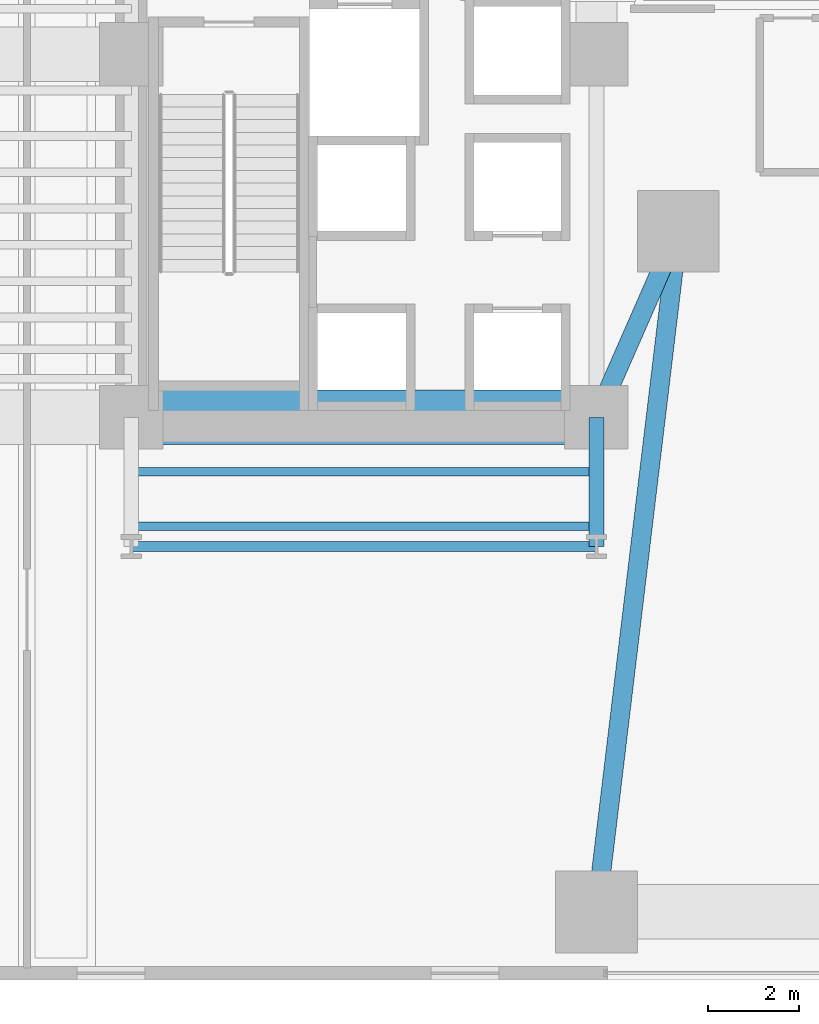
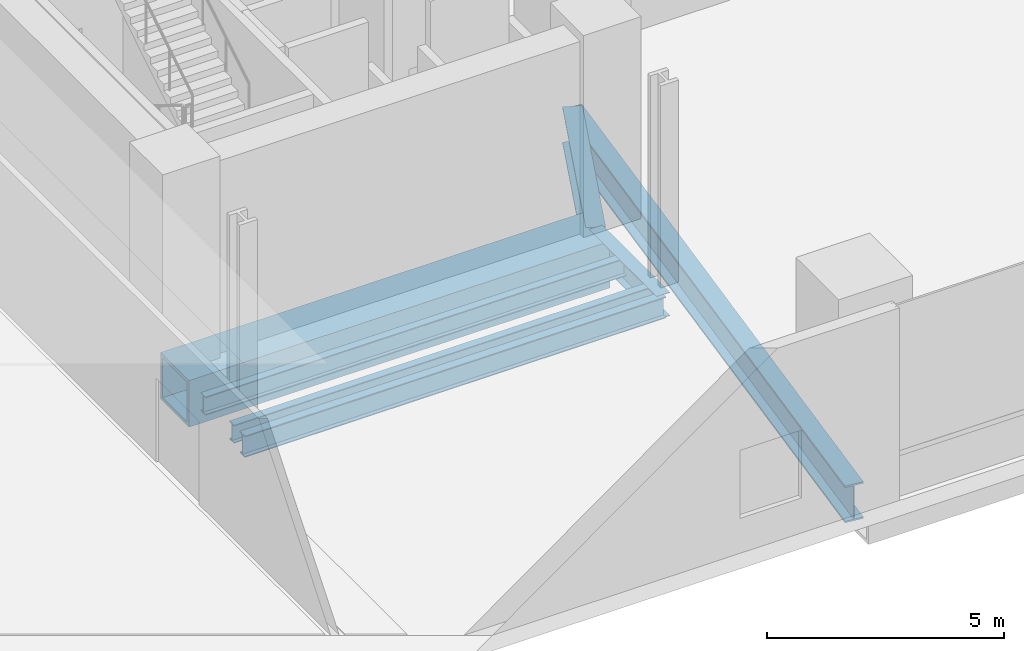
# One storey, part 3 of 41: 7 beams.
"""IFC4 building model written with IfcOpenShell, lengths in metres."""

from ifc_helpers import new_model, si_unit, direction, frame, origin, origin_2d, place, context, subcontext, project, spatial, hollow_rectangle, i_section, extrude, source, transform, mapped, material, material_profile, profile_set, type_object, element, save


model = new_model("IFC4")

# Units and contexts
model_context = context("Model", 3, precision=1e-05, world=origin(), true_north=direction((0.0, 1.0)))
body_context = subcontext(model_context, "Body", "Model", "MODEL_VIEW")
ifc_project = project(units=[si_unit("LENGTHUNIT", "METRE"), si_unit("AREAUNIT", "SQUARE_METRE"), si_unit("VOLUMEUNIT", "CUBIC_METRE"), si_unit("PLANEANGLEUNIT", "RADIAN"), si_unit("MASSUNIT", "GRAM", prefix="KILO")], contexts=[model_context])

# Site, building, storey
site_placement = place(None, origin())
site = spatial("IfcSite", under=ifc_project, at=site_placement, CompositionType="ELEMENT")
building_placement = place(site_placement, origin())
building = spatial("IfcBuilding", under=site, at=building_placement, Name="Valdorenza Pilgrim Sanctuary Tower", CompositionType="ELEMENT")
storey_placement = place(building_placement, frame((0.0, 0.0, 20.800048828125)))
storey = spatial("IfcBuildingStorey", under=building, at=storey_placement, Name="L04", CompositionType="ELEMENT", Elevation=20.800048828125)

# Beams
ifc_material_1 = material(Name="Steel ASTM A992 Grade 50", Category="steel")
ifc_material_profile_1 = material_profile(ifc_material_1, i_section(OverallWidth=0.214111328125, OverallDepth=0.549072265625, WebThickness=0.0146484375, FlangeThickness=0.023681640625, at=origin_2d()), Name="W21X93")
ifc_profile_set_1 = profile_set([ifc_material_profile_1], Name="Steel ASTM A992 Grade 50")
beam_type_1 = type_object("IfcBeamType", Name="STR-BM-SPN-W21A", PredefinedType="SPANDREL", material=ifc_profile_set_1)
shared_shape_1 = source(origin(), body_context, "Body", "SweptSolid", [
    extrude(i_section(OverallWidth=0.214111328125, OverallDepth=0.549072265625, WebThickness=0.0146484375, FlangeThickness=0.023681640625, at=origin_2d()), origin(), (0.0, 0.0, 1.0), 10.25),
])
beam_1_placement = place(storey_placement, frame((-22.64990234375, -13.449951171875, -0.674560546875), z_axis=(1.0, 0.0, 0.0), x_axis=(0.0, 1.0, 0.0)))
element("IfcBeam", 1, at=beam_1_placement, inside=storey, type_object=beam_type_1, Name="L04 South Spandrel WA-S-TIE", PredefinedType="SPANDREL", context=body_context, shape_type="MappedRepresentation", body=[
    mapped(shared_shape_1, transform((0.0, 0.0, 0.0), x_axis=(1.0, 0.0, 0.0), y_axis=(0.0, 1.0, 0.0), z_axis=(0.0, 0.0, 1.0), scale=1.0)),
])
ifc_material_profile_2 = material_profile(ifc_material_1, i_section(OverallWidth=0.323974609375, OverallDepth=0.611083984375, WebThickness=0.0126953125, FlangeThickness=0.01904296875, at=origin_2d()), Name="W24X104")
ifc_profile_set_2 = profile_set([ifc_material_profile_2], Name="Steel ASTM A992 Grade 50")
beam_type_2 = type_object("IfcBeamType", Name="STR-BM-GRD-W24B", PredefinedType="BEAM", material=ifc_profile_set_2)
shared_shape_2 = source(origin(), body_context, "Body", "SweptSolid", [
    extrude(i_section(OverallWidth=0.323974609375, OverallDepth=0.611083984375, WebThickness=0.0126953125, FlangeThickness=0.01904296875, at=origin_2d()), origin(), (0.0, 0.0, 1.0), 2.849853515625),
])
beam_2_placement = place(storey_placement, frame((-12.39990234375, -13.449951171875, -0.70556640625), z_axis=(0.0, 1.0, 0.0), x_axis=(-1.0, 0.0, 0.0)))
element("IfcBeam", 2, at=beam_2_placement, inside=storey, type_object=beam_type_2, Name="L04 Floor Girder WA-S-LE", PredefinedType="BEAM", context=body_context, shape_type="MappedRepresentation", body=[
    mapped(shared_shape_2, transform((0.0, 0.0, 0.0), x_axis=(1.0, 0.0, 0.0), y_axis=(0.0, 1.0, 0.0), z_axis=(0.0, 0.0, 1.0), scale=1.0)),
])
ifc_material_profile_3 = material_profile(ifc_material_1, i_section(OverallWidth=0.193115234375, OverallDepth=0.466064453125, WebThickness=0.011474609375, FlangeThickness=0.01904296875, at=origin_2d()), Name="W18X65")
ifc_profile_set_3 = profile_set([ifc_material_profile_3], Name="Steel ASTM A992 Grade 50")
beam_type_3 = type_object("IfcBeamType", Name="STR-BM-JST-W18A", PredefinedType="JOIST", material=ifc_profile_set_3)
shared_shape_3 = source(origin(), body_context, "Body", "SweptSolid", [
    extrude(i_section(OverallWidth=0.193115234375, OverallDepth=0.466064453125, WebThickness=0.011474609375, FlangeThickness=0.01904296875, at=origin_2d()), origin(), (0.0, 0.0, 1.0), 10.25),
])
for number, where, z_axis, x_axis, name in (
    (3, (-22.64990234375, -13.0, -0.633056640625), (1.0, 0.0, 0.0), (0.0, 1.0, 0.0), "L04 Composite Floor Joist JST-WAS-1"),
    (4, (-22.64990234375, -11.800048828125, -0.633056640625), (1.0, 0.0, 0.0), (0.0, 1.0, 0.0), "L04 Composite Floor Joist JST-WAS-2"),
):
    element("IfcBeam", number, at=place(storey_placement, frame(where, z_axis=z_axis, x_axis=x_axis)), inside=storey, type_object=beam_type_3, Name=name, PredefinedType="JOIST", context=body_context, shape_type="MappedRepresentation", body=[
        mapped(shared_shape_3, transform((0.0, 0.0, 0.0), x_axis=(1.0, 0.0, 0.0), y_axis=(0.0, 1.0, 0.0), z_axis=(0.0, 0.0, 1.0), scale=1.0)),
    ])
ifc_material_profile_4 = material_profile(ifc_material_1, i_section(OverallWidth=0.423095703125, OverallDepth=0.947998046875, WebThickness=0.02392578125, FlangeThickness=0.042724609375, at=origin_2d()), Name="W36X302")
ifc_profile_set_4 = profile_set([ifc_material_profile_4], Name="Steel ASTM A992 Grade 50")
beam_type_4 = type_object("IfcBeamType", Name="STR-BM-GRD-W36A", PredefinedType="BEAM", material=ifc_profile_set_4)
shared_shape_4 = source(origin(), body_context, "Body", "SweptSolid", [
    extrude(i_section(OverallWidth=0.423095703125, OverallDepth=0.947998046875, WebThickness=0.02392578125, FlangeThickness=0.042724609375, at=origin_2d()), origin(), (0.0, 0.0, 1.0), 15.107666015625),
])
beam_3_placement = place(storey_placement, frame((-12.39990234375, -21.5, -0.8740234375), z_axis=(0.119132476027, 0.992878367755, 0.0), x_axis=(-0.992878367755, 0.119132476027, 0.0)))
element("IfcBeam", 5, at=beam_3_placement, inside=storey, type_object=beam_type_4, Name="L04 Floor Girder POD-ARCH-W", PredefinedType="BEAM", context=body_context, shape_type="MappedRepresentation", body=[
    mapped(shared_shape_4, transform((0.0, 0.0, 0.0), x_axis=(1.0, 0.0, 0.0), y_axis=(0.0, 1.0, 0.0), z_axis=(0.0, 0.0, 1.0), scale=1.0)),
])
shared_shape_5 = source(origin(), body_context, "Body", "SweptSolid", [
    extrude(i_section(OverallWidth=0.423095703125, OverallDepth=0.947998046875, WebThickness=0.02392578125, FlangeThickness=0.042724609375, at=origin_2d()), origin(), (0.0, 0.0, 1.0), 4.477783203125),
])
beam_4_placement = place(storey_placement, frame((-10.60009765625, -6.5, -0.8740234375), z_axis=(-0.40194546398, -0.91566360853, 0.0), x_axis=(0.91566360853, -0.40194546398, 0.0)))
element("IfcBeam", 6, at=beam_4_placement, inside=storey, type_object=beam_type_4, Name="L04 Floor Girder POD-ARCH-N", PredefinedType="BEAM", context=body_context, shape_type="MappedRepresentation", body=[
    mapped(shared_shape_5, transform((0.0, 0.0, 0.0), x_axis=(1.0, 0.0, 0.0), y_axis=(0.0, 1.0, 0.0), z_axis=(0.0, 0.0, 1.0), scale=1.0)),
])
ifc_material_2 = material(Name="Steel ASTM A572 Grade 42", Category="steel")
ifc_material_profile_5 = material_profile(ifc_material_2, hollow_rectangle(XDim=1.199951171875, YDim=1.199951171875, WallThickness=0.090087890625, at=origin_2d()), Name="BOX 1200x1200x90")
ifc_profile_set_5 = profile_set([ifc_material_profile_5], Name="Steel ASTM A572 Grade 42")
beam_type_5 = type_object("IfcBeamType", Name="STR-BM-TRF-1200", PredefinedType="BEAM", material=ifc_profile_set_5)
shared_shape_6 = source(origin(), body_context, "Body", "SweptSolid", [
    extrude(hollow_rectangle(XDim=1.199951171875, YDim=1.199951171875, WallThickness=0.090087890625, at=origin_2d()), origin(), (0.0, 0.0, 1.0), 10.25),
])
beam_5_placement = place(storey_placement, frame((-22.64990234375, -10.60009765625, -1.0), z_axis=(1.0, 0.0, 0.0), x_axis=(0.0, 1.0, 0.0)))
element("IfcBeam", 7, at=beam_5_placement, inside=storey, type_object=beam_type_5, Name="L04 Transfer Girder CA-XC-S1", PredefinedType="BEAM", context=body_context, shape_type="MappedRepresentation", body=[
    mapped(shared_shape_6, transform((0.0, 0.0, 0.0), x_axis=(1.0, 0.0, 0.0), y_axis=(0.0, 1.0, 0.0), z_axis=(0.0, 0.0, 1.0), scale=1.0)),
])

save(model, "model.ifc")
